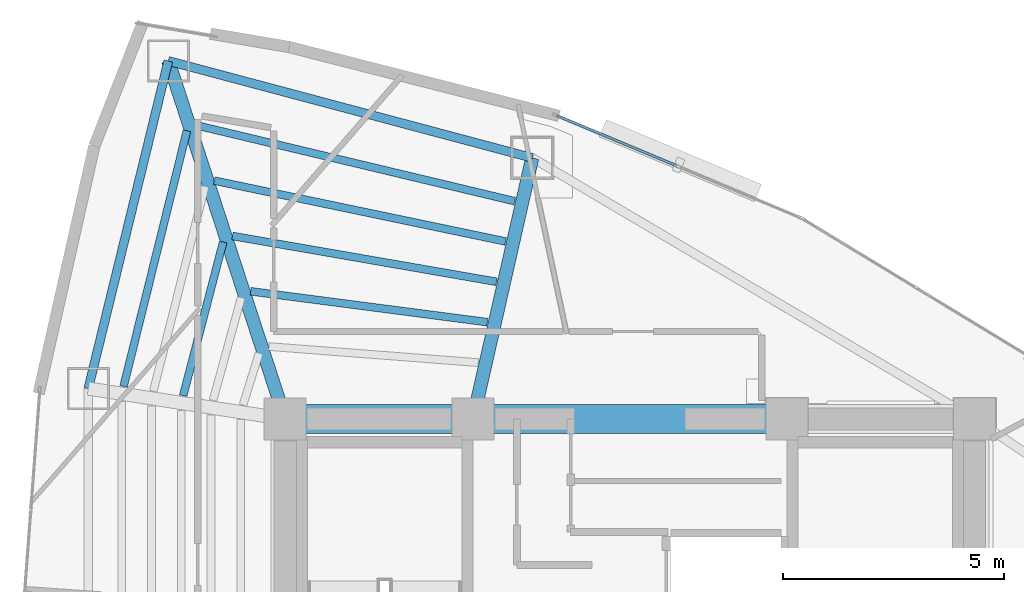
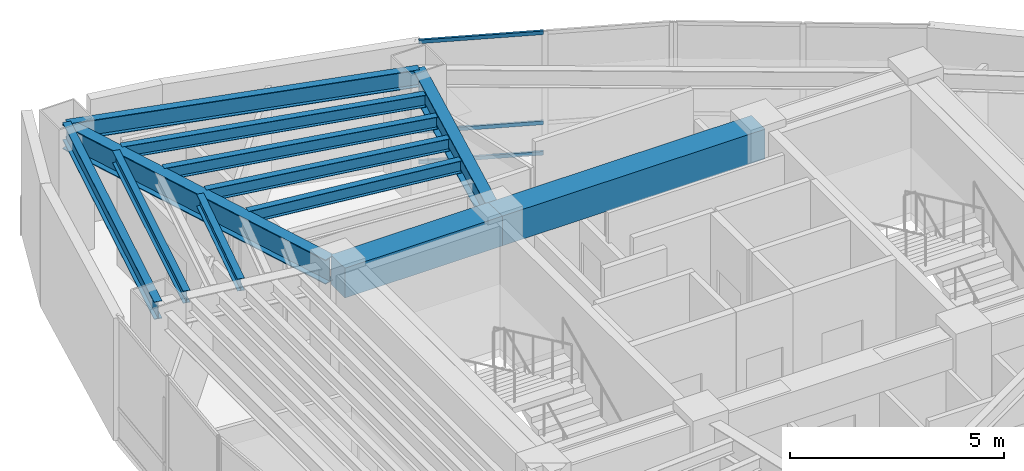
# One storey, part 8 of 15: 12 beams, 3 members, 1 element without a shape of its own.
"""IFC4 building model written with IfcOpenShell, lengths in metres."""

import ifcopenshell
import ifcopenshell.guid

model = None  # the IFC model being written
_history = None  # IfcOwnerHistory: only IFC2X3 demands one
_inside = {}  # id of a spatial element -> (the spatial element, [elements in it])
_under = {}  # id of a project, library or spatial element -> (it, [spatial elements below it])
_declared = {}  # id of a project -> (the project, [libraries it declares])
_typed = {}  # id of a type object -> (the type object, [elements of that type])
_made_of = {}  # id of a material, layer set ... -> (it, [elements and type objects made of it])


def new_model(schema):
    """Start an empty IFC model of exactly this schema.

    Asked for "IFC4X3", IfcOpenShell would pick the latest addendum, in which some entities
    have other attributes; the version numbers below select the first issue.
    IFC2X3 requires an IfcOwnerHistory on every rooted entity: one is made here for all.
    """
    global model, _history
    if schema == "IFC4X3":
        model = ifcopenshell.file(schema_version=(4, 3, 0, 0))
    else:
        model = ifcopenshell.file(schema=schema)
    _inside.clear()
    _under.clear()
    _declared.clear()
    _typed.clear()
    _made_of.clear()
    _history = None
    if model.schema == "IFC2X3":
        org = make("IfcOrganization", Name="unknown")
        user = make(
            "IfcPersonAndOrganization",
            ThePerson=make("IfcPerson", FamilyName="unknown"),
            TheOrganization=org,
        )
        app = make(
            "IfcApplication",
            ApplicationDeveloper=org,
            Version="unknown",
            ApplicationFullName="unknown",
            ApplicationIdentifier="unknown",
        )
        _history = make(
            "IfcOwnerHistory",
            OwningUser=user,
            OwningApplication=app,
            ChangeAction="ADDED",
            CreationDate=0,
        )
    return model


def make(cls, **values):
    """One entity of the class cls with the attributes given. An attribute that is None is left unset."""
    return model.create_entity(
        cls, **{name: value for name, value in values.items() if value is not None}
    )


def rooted(cls, **values):
    """An entity with a GlobalId (a new one), such as an element, a storey or a relation."""
    return make(cls, GlobalId=ifcopenshell.guid.new(), OwnerHistory=_history, **values)


def si_unit(unit_type, name, prefix=None):
    """IfcSIUnit, for example si_unit("LENGTHUNIT", "METRE", prefix="MILLI")."""
    return make("IfcSIUnit", UnitType=unit_type, Prefix=prefix, Name=name)


def assignment(units):
    """IfcUnitAssignment: the units of a project."""
    return None if units is None else make("IfcUnitAssignment", Units=units)


def point(xyz):
    """IfcCartesianPoint."""
    return None if xyz is None else make("IfcCartesianPoint", Coordinates=xyz)


def direction(xyz):
    """IfcDirection."""
    return None if xyz is None else make("IfcDirection", DirectionRatios=xyz)


def frame(location, z_axis=None, x_axis=None):
    """IfcAxis2Placement3D, a coordinate frame: its origin and axes. An axis left out is left unset."""
    return make(
        "IfcAxis2Placement3D",
        Location=point(location),
        Axis=direction(z_axis),
        RefDirection=direction(x_axis),
    )


def frame_2d(location, x_axis=None):
    """IfcAxis2Placement2D, a coordinate frame in the plane: its origin and x axis."""
    return make(
        "IfcAxis2Placement2D", Location=point(location), RefDirection=direction(x_axis)
    )


def origin():
    """The frame at (0, 0, 0) with its axes left unset."""
    return frame((0.0, 0.0, 0.0))


def origin_2d():
    """The frame at (0, 0) in the plane with its x axis left unset."""
    return frame_2d((0.0, 0.0))


def place(relative_to, where):
    """IfcLocalPlacement: puts the frame where relative to a parent placement (None: the world)."""
    return make(
        "IfcLocalPlacement", PlacementRelTo=relative_to, RelativePlacement=where
    )


def context(
    kind, dimensions, precision=None, world=None, true_north=None, identifier=None
):
    """IfcGeometricRepresentationContext, for example the 3D "Model" context."""
    return make(
        "IfcGeometricRepresentationContext",
        ContextIdentifier=identifier,
        ContextType=kind,
        CoordinateSpaceDimension=dimensions,
        Precision=precision,
        WorldCoordinateSystem=world,
        TrueNorth=true_north,
    )


def subcontext(parent, identifier, kind, view, scale=None):
    """IfcGeometricRepresentationSubContext, for example "Body" below "Model"."""
    return make(
        "IfcGeometricRepresentationSubContext",
        ContextIdentifier=identifier,
        ContextType=kind,
        ParentContext=parent,
        TargetScale=scale,
        TargetView=view,
    )


def project(units=None, contexts=None):
    """IfcProject with its units and contexts."""
    return rooted(
        "IfcProject",
        Name="project",
        RepresentationContexts=contexts,
        UnitsInContext=assignment(units),
    )


def spatial(cls, under=None, at=None, **own):
    """A site, building, storey or space (cls), placed at a placement, below another one or the project."""
    s = rooted(cls, ObjectPlacement=at, **own)
    if under is not None:
        _under.setdefault(under.id(), (under, []))[1].append(s)
    return s


def profile(cls, at=None, kind="AREA", **sizes):
    """A parametric profile (cls). Its sizes go by their IFC names, for example OverallWidth=200.0."""
    return make(cls, ProfileType=kind, Position=at, **sizes)


def rectangle(**sizes):
    """IfcRectangleProfileDef."""
    return profile("IfcRectangleProfileDef", **sizes)


def hollow_rectangle(**sizes):
    """IfcRectangleHollowProfileDef."""
    return profile("IfcRectangleHollowProfileDef", **sizes)


def i_section(**sizes):
    """IfcIShapeProfileDef."""
    return profile("IfcIShapeProfileDef", **sizes)


def extrude(swept, where, along, depth):
    """IfcExtrudedAreaSolid: the profile swept, set in the frame where, extruded along a direction by depth."""
    return make(
        "IfcExtrudedAreaSolid",
        SweptArea=swept,
        Position=where,
        ExtrudedDirection=direction(along),
        Depth=depth,
    )


def shape(context_of_items, identifier, shape_type, items):
    """IfcShapeRepresentation: the items that make up one representation, for example the "Body"."""
    return make(
        "IfcShapeRepresentation",
        ContextOfItems=context_of_items,
        RepresentationIdentifier=identifier,
        RepresentationType=shape_type,
        Items=items,
    )


def material(Name=None, Category=None):
    """IfcMaterial."""
    return make("IfcMaterial", Name=Name, Category=Category)


def layer(
    of_material, thickness, ventilated=None, Name=None, Category=None, Priority=None
):
    """IfcMaterialLayer: one layer of a wall or slab, of a material (None: an air gap)."""
    return make(
        "IfcMaterialLayer",
        Material=of_material,
        LayerThickness=thickness,
        IsVentilated=ventilated,
        Name=Name,
        Category=Category,
        Priority=Priority,
    )


def layer_set(layers, Name=None):
    """IfcMaterialLayerSet."""
    return make("IfcMaterialLayerSet", MaterialLayers=layers, LayerSetName=Name)


def material_profile(
    of_material, cross_section, Name=None, Category=None, Priority=None
):
    """IfcMaterialProfile: a cross section and its material."""
    return make(
        "IfcMaterialProfile",
        Name=Name,
        Material=of_material,
        Profile=cross_section,
        Priority=Priority,
        Category=Category,
    )


def profile_set(profiles, Name=None, composite=None):
    """IfcMaterialProfileSet."""
    return make(
        "IfcMaterialProfileSet",
        Name=Name,
        MaterialProfiles=profiles,
        CompositeProfile=composite,
    )


def made_of(thing, what):
    """Note that an element or type object is made of a material, layer set ...; save() writes the relation."""
    if what is not None:
        _made_of.setdefault(what.id(), (what, []))[1].append(thing)
    return thing


def type_object(cls, material=None, **own):
    """A type object (cls), such as IfcWallType, which elements share."""
    return made_of(rooted(cls, **own), material)


def element(
    cls,
    number,
    at=None,
    inside=None,
    cuts=None,
    type_object=None,
    material=None,
    context=None,
    identifier="Body",
    shape_type=None,
    held_by="IfcProductDefinitionShape",
    body=None,
    shapes=None,
    **own,
):
    """One element of the class cls, such as IfcWall. Its Tag is "e" and its number.

    at: its placement. inside: the storey or other place that contains it. cuts: it is an
    opening in that element (IfcRelVoidsElement). A single representation is given by context,
    identifier, shape_type and body (its items); several are given by shapes. held_by: the class
    of the entity that holds the representations. save() writes the other relations.
    """
    e = rooted(cls, Tag="e%d" % number, ObjectPlacement=at, **own)
    if body is not None:
        shapes = [shape(context, identifier, shape_type, body)]
    if shapes is not None:
        e.Representation = make(held_by, Representations=shapes)
    if inside is not None:
        _inside.setdefault(inside.id(), (inside, []))[1].append(e)
    if cuts is not None:
        rooted(
            "IfcRelVoidsElement", RelatingBuildingElement=cuts, RelatedOpeningElement=e
        )
    if type_object is not None:
        _typed.setdefault(type_object.id(), (type_object, []))[1].append(e)
    return made_of(e, material)


def aggregate(whole, parts):
    """IfcRelAggregates: a whole, such as a stair, and the parts it consists of."""
    return rooted("IfcRelAggregates", RelatingObject=whole, RelatedObjects=parts)


def save(model, path):
    """Write the relations noted so far, then the file.

    IfcRelAggregates (storeys below a building ...), IfcRelContainedInSpatialStructure (elements
    in a storey), IfcRelDefinesByType, IfcRelAssociatesMaterial and IfcRelDeclares: one each for
    every whole, place, type object, material and project.
    """
    for whole, parts in _under.values():
        aggregate(whole, parts)
    for where, things in _inside.values():
        rooted(
            "IfcRelContainedInSpatialStructure",
            RelatedElements=things,
            RelatingStructure=where,
        )
    for kind, things in _typed.values():
        rooted("IfcRelDefinesByType", RelatedObjects=things, RelatingType=kind)
    for what, things in _made_of.values():
        rooted("IfcRelAssociatesMaterial", RelatedObjects=things, RelatingMaterial=what)
    for by, libraries in _declared.values():
        rooted("IfcRelDeclares", RelatingContext=by, RelatedDefinitions=libraries)
    model.write(path)


model = new_model("IFC4")

# Units and contexts
model_context = context("Model", 3, precision=1e-05, world=origin(), true_north=direction((0.0, 1.0)))
body_context = subcontext(model_context, "Body", "Model", "MODEL_VIEW")
ifc_project = project(units=[si_unit("LENGTHUNIT", "METRE"), si_unit("AREAUNIT", "SQUARE_METRE"), si_unit("VOLUMEUNIT", "CUBIC_METRE"), si_unit("PLANEANGLEUNIT", "RADIAN"), si_unit("MASSUNIT", "GRAM", prefix="KILO")], contexts=[model_context])

# Site, building, storey
site_placement = place(None, origin())
site = spatial("IfcSite", under=ifc_project, at=site_placement, CompositionType="ELEMENT")
building_placement = place(site_placement, origin())
building = spatial("IfcBuilding", under=site, at=building_placement, Name="Menara Vayukalpa", CompositionType="ELEMENT")
storey_placement = place(building_placement, frame((0.0, 0.0, 226.97998046875)))
storey = spatial("IfcBuildingStorey", under=building, at=storey_placement, Name="L57", CompositionType="ELEMENT", Elevation=226.97998046875)

# Beams
ifc_material_1 = material(Name="Concrete C60/75", Category="concrete")
ifc_material_profile_1 = material_profile(ifc_material_1, rectangle(XDim=0.64990234375, YDim=0.85009765625, at=origin_2d()), Name="RC 650x850")
ifc_profile_set_1 = profile_set([ifc_material_profile_1], Name="Concrete C60/75")
beam_type_1 = type_object("IfcBeamType", Name="BM-CB1", PredefinedType="BEAM", material=ifc_profile_set_1)
beam_1_placement = place(storey_placement, frame((17.800048828125, 26.800048828125, 3.074951171875), z_axis=(1.0, 0.0, 0.0), x_axis=(0.0, 1.0, 0.0)))
element("IfcBeam", 1, at=beam_1_placement, inside=storey, type_object=beam_type_1, Name="L57 Core Tie Beam CBR4", PredefinedType="BEAM", context=body_context, shape_type="SweptSolid", body=[
    extrude(rectangle(XDim=0.64990234375, YDim=0.85009765625, at=origin_2d()), origin(), (0.0, 0.0, 1.0), 4.25),
])
beam_2_placement = place(storey_placement, frame((22.050048828125, 26.800048828125, 3.074951171875), z_axis=(1.0, 0.0, 0.0), x_axis=(0.0, 1.0, 0.0)))
element("IfcBeam", 2, at=beam_2_placement, inside=storey, type_object=beam_type_1, Name="L57 Core Tie Beam CBR5", PredefinedType="BEAM", context=body_context, shape_type="SweptSolid", body=[
    extrude(rectangle(XDim=0.64990234375, YDim=0.85009765625, at=origin_2d()), origin(), (0.0, 0.0, 1.0), 7.099853515625),
])
ifc_material_2 = material(Name="Steel S355", Category="steel")
ifc_material_profile_2 = material_profile(ifc_material_2, i_section(OverallWidth=0.300048828125, OverallDepth=0.699951171875, WebThickness=0.012939453125, FlangeThickness=0.02392578125, at=origin_2d()), Name="WF 700x300x13x24")
ifc_profile_set_2 = profile_set([ifc_material_profile_2], Name="Steel S355")
beam_type_2 = type_object("IfcBeamType", Name="BM-PG5", PredefinedType="BEAM", material=ifc_profile_set_2)
beam_3_placement = place(storey_placement, frame((22.105224609375, 27.043701171875, 3.14990234375), z_axis=(0.221085149161, 0.975254508741, 0.0), x_axis=(-0.975254508741, 0.221085149161, 0.0)))
element("IfcBeam", 3, at=beam_3_placement, inside=storey, type_object=beam_type_2, Name="L57 Primary Radial Girder RG03", PredefinedType="BEAM", context=body_context, shape_type="SweptSolid", body=[
    extrude(i_section(OverallWidth=0.300048828125, OverallDepth=0.699951171875, WebThickness=0.012939453125, FlangeThickness=0.02392578125, at=origin_2d()), origin(), (0.0, 0.0, 1.0), 5.80859375),
])
beam_4_placement = place(storey_placement, frame((17.722412109375, 27.03759765625, 3.14990234375), z_axis=(-0.310343552153, 0.950624468251, 0.0), x_axis=(-0.950624468251, -0.310343552153, 0.0)))
element("IfcBeam", 4, at=beam_4_placement, inside=storey, type_object=beam_type_2, Name="L57 Primary Radial Girder RG04", PredefinedType="BEAM", context=body_context, shape_type="SweptSolid", body=[
    extrude(i_section(OverallWidth=0.300048828125, OverallDepth=0.699951171875, WebThickness=0.012939453125, FlangeThickness=0.02392578125, at=origin_2d()), origin(), (0.0, 0.0, 1.0), 8.2734375),
])
ifc_material_3 = material(Name="Steel S355", Category="steel")
ifc_material_profile_3 = material_profile(ifc_material_3, i_section(OverallWidth=0.175048828125, OverallDepth=0.35009765625, WebThickness=0.007080078125, FlangeThickness=0.010986328125, at=origin_2d()), Name="WF 350x175x7x11")
ifc_profile_set_3 = profile_set([ifc_material_profile_3], Name="Steel S355")
beam_type_3 = type_object("IfcBeamType", Name="BM-SJ3", PredefinedType="JOIST", material=ifc_profile_set_3)
beam_5_placement = place(storey_placement, frame((22.373291015625, 28.99169921875, 3.324951171875), z_axis=(-0.991612506825, 0.129246417005, 0.0), x_axis=(-0.129246417005, -0.991612506825, 0.0)))
element("IfcBeam", 5, at=beam_5_placement, inside=storey, type_object=beam_type_3, Name="L57 Secondary Floor Joist SJ03-2", PredefinedType="JOIST", context=body_context, shape_type="SweptSolid", body=[
    extrude(i_section(OverallWidth=0.175048828125, OverallDepth=0.35009765625, WebThickness=0.007080078125, FlangeThickness=0.010986328125, at=origin_2d()), origin(), (0.0, 0.0, 1.0), 5.400634765625),
])
beam_6_placement = place(storey_placement, frame((22.579833984375, 29.905029296875, 3.324951171875), z_axis=(-0.985288498293, 0.170899312848, 0.0), x_axis=(-0.170899312848, -0.985288498293, 0.0)))
element("IfcBeam", 6, at=beam_6_placement, inside=storey, type_object=beam_type_3, Name="L57 Secondary Floor Joist SJ03-3", PredefinedType="JOIST", context=body_context, shape_type="SweptSolid", body=[
    extrude(i_section(OverallWidth=0.175048828125, OverallDepth=0.35009765625, WebThickness=0.007080078125, FlangeThickness=0.010986328125, at=origin_2d()), origin(), (0.0, 0.0, 1.0), 6.062744140625),
])
beam_7_placement = place(storey_placement, frame((22.786376953125, 30.817138671875, 3.324951171875), z_axis=(-0.978881984699, 0.204426172569, 0.0), x_axis=(-0.204426172569, -0.978881984699, 0.0)))
element("IfcBeam", 7, at=beam_7_placement, inside=storey, type_object=beam_type_3, Name="L57 Secondary Floor Joist SJ03-4", PredefinedType="JOIST", context=body_context, shape_type="SweptSolid", body=[
    extrude(i_section(OverallWidth=0.175048828125, OverallDepth=0.35009765625, WebThickness=0.007080078125, FlangeThickness=0.010986328125, at=origin_2d()), origin(), (0.0, 0.0, 1.0), 6.734619140625),
])
beam_8_placement = place(storey_placement, frame((22.992919921875, 31.728271484375, 3.324951171875), z_axis=(-0.972733016713, 0.23192774348, 0.0), x_axis=(-0.23192774348, -0.972733016713, 0.0)))
element("IfcBeam", 8, at=beam_8_placement, inside=storey, type_object=beam_type_3, Name="L57 Secondary Floor Joist SJ03-5", PredefinedType="JOIST", context=body_context, shape_type="SweptSolid", body=[
    extrude(i_section(OverallWidth=0.175048828125, OverallDepth=0.35009765625, WebThickness=0.007080078125, FlangeThickness=0.010986328125, at=origin_2d()), origin(), (0.0, 0.0, 1.0), 7.412841796875),
])
beam_9_placement = place(storey_placement, frame((16.395751953125, 30.8056640625, 3.324951171875), z_axis=(-0.251733131911, -0.967796688514, 0.0), x_axis=(0.967796688514, -0.251733131911, 0.0)))
element("IfcBeam", 9, at=beam_9_placement, inside=storey, type_object=beam_type_3, Name="L57 Secondary Floor Joist SJ04-3", PredefinedType="JOIST", context=body_context, shape_type="SweptSolid", body=[
    extrude(i_section(OverallWidth=0.175048828125, OverallDepth=0.35009765625, WebThickness=0.007080078125, FlangeThickness=0.010986328125, at=origin_2d()), origin(), (0.0, 0.0, 1.0), 3.59326171875),
])
beam_10_placement = place(storey_placement, frame((15.576171875, 33.322021484375, 3.324951171875), z_axis=(-0.240539929987, -0.970639244046, 0.0), x_axis=(0.970639244046, -0.240539929987, 0.0)))
element("IfcBeam", 10, at=beam_10_placement, inside=storey, type_object=beam_type_3, Name="L57 Secondary Floor Joist SJ04-5", PredefinedType="JOIST", context=body_context, shape_type="SweptSolid", body=[
    extrude(i_section(OverallWidth=0.175048828125, OverallDepth=0.35009765625, WebThickness=0.007080078125, FlangeThickness=0.010986328125, at=origin_2d()), origin(), (0.0, 0.0, 1.0), 5.9599609375),
])
ifc_material_4 = material(Name="Steel S355", Category="steel")
ifc_material_profile_4 = material_profile(ifc_material_4, i_section(OverallWidth=0.199951171875, OverallDepth=0.5, WebThickness=0.010009765625, FlangeThickness=0.01611328125, at=origin_2d()), Name="WF 500x200x10x16")
ifc_profile_set_4 = profile_set([ifc_material_profile_4], Name="Steel S355")
beam_type_4 = type_object("IfcBeamType", Name="BM-SP3", PredefinedType="SPANDREL", material=ifc_profile_set_4)
beam_11_placement = place(storey_placement, frame((23.389404296875, 32.70849609375, 3.25), z_axis=(-0.966287699272, 0.25746472037, 0.0), x_axis=(-0.25746472037, -0.966287699272, 0.0)))
element("IfcBeam", 11, at=beam_11_placement, inside=storey, type_object=beam_type_4, Name="L57 Perimeter Spandrel Beam SP03", PredefinedType="SPANDREL", context=body_context, shape_type="SweptSolid", body=[
    extrude(i_section(OverallWidth=0.199951171875, OverallDepth=0.5, WebThickness=0.010009765625, FlangeThickness=0.01611328125, at=origin_2d()), origin(), (0.0, 0.0, 1.0), 8.52197265625),
])
beam_12_placement = place(storey_placement, frame((15.15478515625, 34.902587890625, 3.25), z_axis=(-0.237285374413, -0.971439988414, 0.0), x_axis=(0.971439988414, -0.237285374413, 0.0)))
element("IfcBeam", 12, at=beam_12_placement, inside=storey, type_object=beam_type_4, Name="L57 Perimeter Spandrel Beam SP04", PredefinedType="SPANDREL", context=body_context, shape_type="SweptSolid", body=[
    extrude(i_section(OverallWidth=0.199951171875, OverallDepth=0.5, WebThickness=0.010009765625, FlangeThickness=0.01611328125, at=origin_2d()), origin(), (0.0, 0.0, 1.0), 7.63134765625),
])

# Curtain wall, members
ifc_material_5 = material(Name="Anodised Terracotta Aluminium Alloy 6063-T6", Category="masonry")
ifc_layer = layer(ifc_material_5, 0.139892578125)
ifc_layer_set = layer_set([ifc_layer], Name="Anodised Terracotta Aluminium Alloy 6063-T6")
curtain_wall_type = type_object("IfcCurtainWallType", Name="CW-CW5", PredefinedType="USERDEFINED", material=ifc_layer_set)
curtain_wall_placement = place(storey_placement, origin())
curtain_wall = element("IfcCurtainWall", 13, at=curtain_wall_placement, inside=storey, type_object=curtain_wall_type, Name="L57 High Rise Tapered Curtain Wall CW5 05", ObjectType="UNITISED", PredefinedType="USERDEFINED")
ifc_material_6 = material(Name="Anodised Terracotta Aluminium Alloy 6063-T6", Category="masonry")
ifc_material_profile_5 = material_profile(ifc_material_6, hollow_rectangle(XDim=0.06005859375, YDim=0.10498046875, WallThickness=0.0029296875, at=origin_2d()), Name="ALU 60x105x3")
ifc_profile_set_5 = profile_set([ifc_material_profile_5], Name="Anodised Terracotta Aluminium Alloy 6063-T6")
member_type = type_object("IfcMemberType", Name="CWT-CW5", PredefinedType="USERDEFINED", material=ifc_profile_set_5)
member_1_placement = place(storey_placement, frame((26.658447265625, 32.530029296875, 0.030029296875), z_axis=(-0.922543360613, 0.385893440976, 0.0), x_axis=(-0.385893440976, -0.922543360613, 0.0)))
member_1 = element("IfcMember", 14, at=member_1_placement, type_object=member_type, Name="CW5 transom 2.1", ObjectType="TRANSOM", PredefinedType="USERDEFINED", context=body_context, shape_type="SweptSolid", body=[
    extrude(hollow_rectangle(XDim=0.06005859375, YDim=0.10498046875, WallThickness=0.0029296875, at=origin_2d()), origin(), (0.0, 0.0, 1.0), 2.942626953125),
])
member_2_placement = place(storey_placement, frame((26.658447265625, 32.530029296875, 0.89990234375), z_axis=(-0.922543360613, 0.385893440976, 0.0), x_axis=(-0.385893440976, -0.922543360613, 0.0)))
member_2 = element("IfcMember", 15, at=member_2_placement, type_object=member_type, Name="CW5 transom 2.2", ObjectType="TRANSOM", PredefinedType="USERDEFINED", context=body_context, shape_type="SweptSolid", body=[
    extrude(hollow_rectangle(XDim=0.06005859375, YDim=0.10498046875, WallThickness=0.0029296875, at=origin_2d()), origin(), (0.0, 0.0, 1.0), 2.942626953125),
])
member_3_placement = place(storey_placement, frame((26.658447265625, 32.530029296875, 3.469970703125), z_axis=(-0.922543360613, 0.385893440976, 0.0), x_axis=(-0.385893440976, -0.922543360613, 0.0)))
member_3 = element("IfcMember", 16, at=member_3_placement, type_object=member_type, Name="CW5 transom 2.3", ObjectType="TRANSOM", PredefinedType="USERDEFINED", context=body_context, shape_type="SweptSolid", body=[
    extrude(hollow_rectangle(XDim=0.06005859375, YDim=0.10498046875, WallThickness=0.0029296875, at=origin_2d()), origin(), (0.0, 0.0, 1.0), 2.942626953125),
])
aggregate(curtain_wall, [member_1, member_2, member_3])

save(model, "model.ifc")
